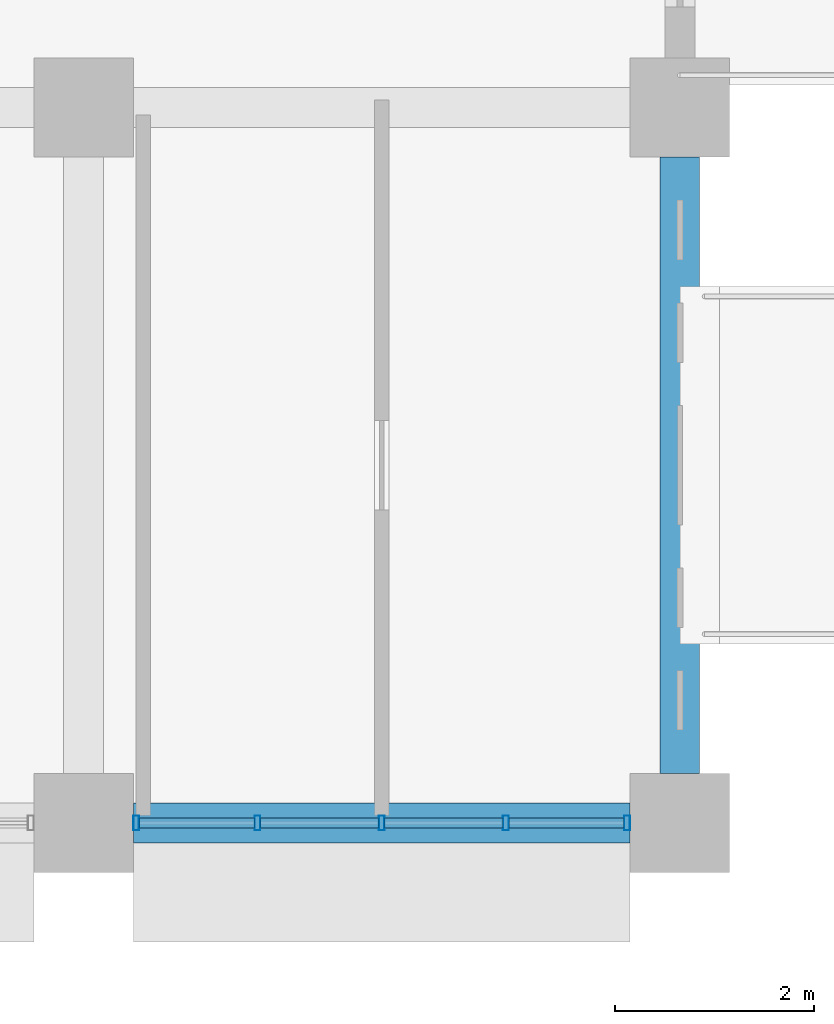
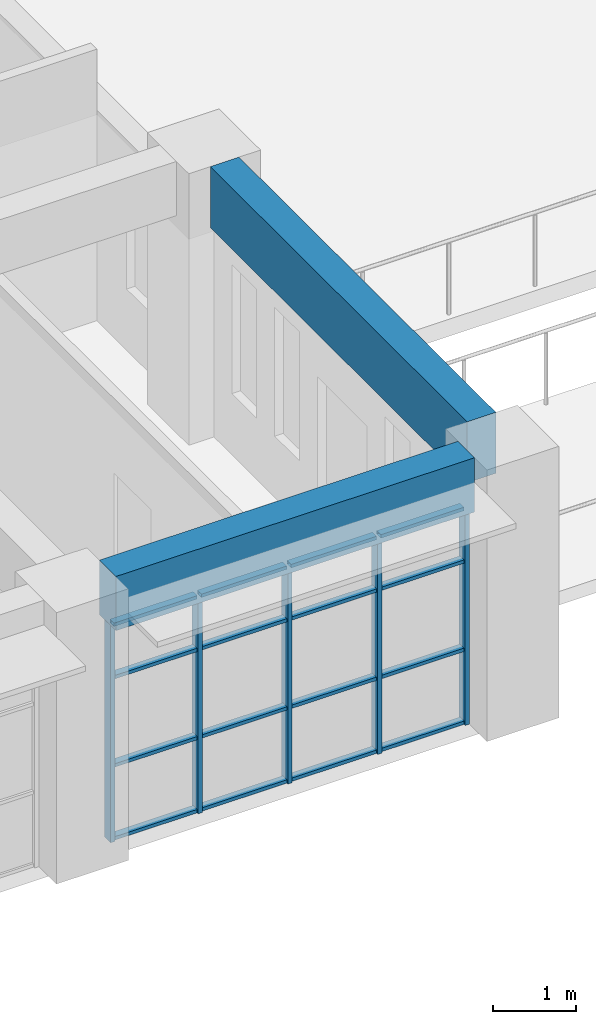
# One storey, part 50 of 101: 21 members, 2 beams, 1 element without a shape of its own.
"""IFC4 building model written with IfcOpenShell, lengths in metres."""

import ifcopenshell
import ifcopenshell.guid

model = None  # the IFC model being written
_history = None  # IfcOwnerHistory: only IFC2X3 demands one
_inside = {}  # id of a spatial element -> (the spatial element, [elements in it])
_under = {}  # id of a project, library or spatial element -> (it, [spatial elements below it])
_declared = {}  # id of a project -> (the project, [libraries it declares])
_typed = {}  # id of a type object -> (the type object, [elements of that type])
_made_of = {}  # id of a material, layer set ... -> (it, [elements and type objects made of it])


def new_model(schema):
    """Start an empty IFC model of exactly this schema.

    Asked for "IFC4X3", IfcOpenShell would pick the latest addendum, in which some entities
    have other attributes; the version numbers below select the first issue.
    IFC2X3 requires an IfcOwnerHistory on every rooted entity: one is made here for all.
    """
    global model, _history
    if schema == "IFC4X3":
        model = ifcopenshell.file(schema_version=(4, 3, 0, 0))
    else:
        model = ifcopenshell.file(schema=schema)
    _inside.clear()
    _under.clear()
    _declared.clear()
    _typed.clear()
    _made_of.clear()
    _history = None
    if model.schema == "IFC2X3":
        org = make("IfcOrganization", Name="unknown")
        user = make(
            "IfcPersonAndOrganization",
            ThePerson=make("IfcPerson", FamilyName="unknown"),
            TheOrganization=org,
        )
        app = make(
            "IfcApplication",
            ApplicationDeveloper=org,
            Version="unknown",
            ApplicationFullName="unknown",
            ApplicationIdentifier="unknown",
        )
        _history = make(
            "IfcOwnerHistory",
            OwningUser=user,
            OwningApplication=app,
            ChangeAction="ADDED",
            CreationDate=0,
        )
    return model


def make(cls, **values):
    """One entity of the class cls with the attributes given. An attribute that is None is left unset."""
    return model.create_entity(
        cls, **{name: value for name, value in values.items() if value is not None}
    )


def rooted(cls, **values):
    """An entity with a GlobalId (a new one), such as an element, a storey or a relation."""
    return make(cls, GlobalId=ifcopenshell.guid.new(), OwnerHistory=_history, **values)


def si_unit(unit_type, name, prefix=None):
    """IfcSIUnit, for example si_unit("LENGTHUNIT", "METRE", prefix="MILLI")."""
    return make("IfcSIUnit", UnitType=unit_type, Prefix=prefix, Name=name)


def assignment(units):
    """IfcUnitAssignment: the units of a project."""
    return None if units is None else make("IfcUnitAssignment", Units=units)


def point(xyz):
    """IfcCartesianPoint."""
    return None if xyz is None else make("IfcCartesianPoint", Coordinates=xyz)


def direction(xyz):
    """IfcDirection."""
    return None if xyz is None else make("IfcDirection", DirectionRatios=xyz)


def frame(location, z_axis=None, x_axis=None):
    """IfcAxis2Placement3D, a coordinate frame: its origin and axes. An axis left out is left unset."""
    return make(
        "IfcAxis2Placement3D",
        Location=point(location),
        Axis=direction(z_axis),
        RefDirection=direction(x_axis),
    )


def frame_2d(location, x_axis=None):
    """IfcAxis2Placement2D, a coordinate frame in the plane: its origin and x axis."""
    return make(
        "IfcAxis2Placement2D", Location=point(location), RefDirection=direction(x_axis)
    )


def origin():
    """The frame at (0, 0, 0) with its axes left unset."""
    return frame((0.0, 0.0, 0.0))


def origin_2d():
    """The frame at (0, 0) in the plane with its x axis left unset."""
    return frame_2d((0.0, 0.0))


def place(relative_to, where):
    """IfcLocalPlacement: puts the frame where relative to a parent placement (None: the world)."""
    return make(
        "IfcLocalPlacement", PlacementRelTo=relative_to, RelativePlacement=where
    )


def context(
    kind, dimensions, precision=None, world=None, true_north=None, identifier=None
):
    """IfcGeometricRepresentationContext, for example the 3D "Model" context."""
    return make(
        "IfcGeometricRepresentationContext",
        ContextIdentifier=identifier,
        ContextType=kind,
        CoordinateSpaceDimension=dimensions,
        Precision=precision,
        WorldCoordinateSystem=world,
        TrueNorth=true_north,
    )


def subcontext(parent, identifier, kind, view, scale=None):
    """IfcGeometricRepresentationSubContext, for example "Body" below "Model"."""
    return make(
        "IfcGeometricRepresentationSubContext",
        ContextIdentifier=identifier,
        ContextType=kind,
        ParentContext=parent,
        TargetScale=scale,
        TargetView=view,
    )


def project(units=None, contexts=None):
    """IfcProject with its units and contexts."""
    return rooted(
        "IfcProject",
        Name="project",
        RepresentationContexts=contexts,
        UnitsInContext=assignment(units),
    )


def spatial(cls, under=None, at=None, **own):
    """A site, building, storey or space (cls), placed at a placement, below another one or the project."""
    s = rooted(cls, ObjectPlacement=at, **own)
    if under is not None:
        _under.setdefault(under.id(), (under, []))[1].append(s)
    return s


def profile(cls, at=None, kind="AREA", **sizes):
    """A parametric profile (cls). Its sizes go by their IFC names, for example OverallWidth=200.0."""
    return make(cls, ProfileType=kind, Position=at, **sizes)


def rectangle(**sizes):
    """IfcRectangleProfileDef."""
    return profile("IfcRectangleProfileDef", **sizes)


def hollow_rectangle(**sizes):
    """IfcRectangleHollowProfileDef."""
    return profile("IfcRectangleHollowProfileDef", **sizes)


def extrude(swept, where, along, depth):
    """IfcExtrudedAreaSolid: the profile swept, set in the frame where, extruded along a direction by depth."""
    return make(
        "IfcExtrudedAreaSolid",
        SweptArea=swept,
        Position=where,
        ExtrudedDirection=direction(along),
        Depth=depth,
    )


def shape(context_of_items, identifier, shape_type, items):
    """IfcShapeRepresentation: the items that make up one representation, for example the "Body"."""
    return make(
        "IfcShapeRepresentation",
        ContextOfItems=context_of_items,
        RepresentationIdentifier=identifier,
        RepresentationType=shape_type,
        Items=items,
    )


def material(Name=None, Category=None):
    """IfcMaterial."""
    return make("IfcMaterial", Name=Name, Category=Category)


def material_profile(
    of_material, cross_section, Name=None, Category=None, Priority=None
):
    """IfcMaterialProfile: a cross section and its material."""
    return make(
        "IfcMaterialProfile",
        Name=Name,
        Material=of_material,
        Profile=cross_section,
        Priority=Priority,
        Category=Category,
    )


def profile_set(profiles, Name=None, composite=None):
    """IfcMaterialProfileSet."""
    return make(
        "IfcMaterialProfileSet",
        Name=Name,
        MaterialProfiles=profiles,
        CompositeProfile=composite,
    )


def made_of(thing, what):
    """Note that an element or type object is made of a material, layer set ...; save() writes the relation."""
    if what is not None:
        _made_of.setdefault(what.id(), (what, []))[1].append(thing)
    return thing


def type_object(cls, material=None, **own):
    """A type object (cls), such as IfcWallType, which elements share."""
    return made_of(rooted(cls, **own), material)


def element(
    cls,
    number,
    at=None,
    inside=None,
    cuts=None,
    type_object=None,
    material=None,
    context=None,
    identifier="Body",
    shape_type=None,
    held_by="IfcProductDefinitionShape",
    body=None,
    shapes=None,
    **own,
):
    """One element of the class cls, such as IfcWall. Its Tag is "e" and its number.

    at: its placement. inside: the storey or other place that contains it. cuts: it is an
    opening in that element (IfcRelVoidsElement). A single representation is given by context,
    identifier, shape_type and body (its items); several are given by shapes. held_by: the class
    of the entity that holds the representations. save() writes the other relations.
    """
    e = rooted(cls, Tag="e%d" % number, ObjectPlacement=at, **own)
    if body is not None:
        shapes = [shape(context, identifier, shape_type, body)]
    if shapes is not None:
        e.Representation = make(held_by, Representations=shapes)
    if inside is not None:
        _inside.setdefault(inside.id(), (inside, []))[1].append(e)
    if cuts is not None:
        rooted(
            "IfcRelVoidsElement", RelatingBuildingElement=cuts, RelatedOpeningElement=e
        )
    if type_object is not None:
        _typed.setdefault(type_object.id(), (type_object, []))[1].append(e)
    return made_of(e, material)


def aggregate(whole, parts):
    """IfcRelAggregates: a whole, such as a stair, and the parts it consists of."""
    return rooted("IfcRelAggregates", RelatingObject=whole, RelatedObjects=parts)


def save(model, path):
    """Write the relations noted so far, then the file.

    IfcRelAggregates (storeys below a building ...), IfcRelContainedInSpatialStructure (elements
    in a storey), IfcRelDefinesByType, IfcRelAssociatesMaterial and IfcRelDeclares: one each for
    every whole, place, type object, material and project.
    """
    for whole, parts in _under.values():
        aggregate(whole, parts)
    for where, things in _inside.values():
        rooted(
            "IfcRelContainedInSpatialStructure",
            RelatedElements=things,
            RelatingStructure=where,
        )
    for kind, things in _typed.values():
        rooted("IfcRelDefinesByType", RelatedObjects=things, RelatingType=kind)
    for what, things in _made_of.values():
        rooted("IfcRelAssociatesMaterial", RelatedObjects=things, RelatingMaterial=what)
    for by, libraries in _declared.values():
        rooted("IfcRelDeclares", RelatingContext=by, RelatedDefinitions=libraries)
    model.write(path)


model = new_model("IFC4")

# Units and contexts
model_context = context("Model", 3, precision=1e-05, world=origin(), true_north=direction((0.0, 1.0)))
body_context = subcontext(model_context, "Body", "Model", "MODEL_VIEW")
ifc_project = project(units=[si_unit("LENGTHUNIT", "METRE"), si_unit("AREAUNIT", "SQUARE_METRE"), si_unit("VOLUMEUNIT", "CUBIC_METRE"), si_unit("PLANEANGLEUNIT", "RADIAN"), si_unit("MASSUNIT", "GRAM", prefix="KILO")], contexts=[model_context])

# Site, building, storey
site_placement = place(None, origin())
site = spatial("IfcSite", under=ifc_project, at=site_placement, CompositionType="ELEMENT")
building_placement = place(site_placement, origin())
building = spatial("IfcBuilding", under=site, at=building_placement, Name="Laocheng Heights Fire and Rescue Headquarters", CompositionType="ELEMENT")
storey_placement = place(building_placement, frame((0.0, 0.0, 8.39990234375)))
storey = spatial("IfcBuildingStorey", under=building, at=storey_placement, Name="L02", CompositionType="ELEMENT", Elevation=8.39990234375)

# Curtain wall, members
ifc_material_1 = material(Name="Dark anodised aluminium unitised curtain wall, low-e double glazing", Category="aluminium")
curtain_wall_type = type_object("IfcCurtainWallType", Name="CW 5000 x 3200 HQ SOUTH RIBBON", PredefinedType="NOTDEFINED", material=ifc_material_1)
curtain_wall_placement = place(storey_placement, origin())
curtain_wall = element("IfcCurtainWall", 1, at=curtain_wall_placement, inside=storey, type_object=curtain_wall_type, Name="X10-X HQ SOUTH L02", PredefinedType="NOTDEFINED")
ifc_material_2 = material(Name="Dark anodised aluminium 6063-T5 extrusion", Category="aluminium")
ifc_material_profile_1 = material_profile(ifc_material_2, hollow_rectangle(XDim=0.14990234375, YDim=0.06005859375, WallThickness=0.0029296875, at=origin_2d()), Name="AL MULLION 150x60x3 HQ SOUTH RIBBON")
ifc_profile_set_1 = profile_set([ifc_material_profile_1], Name="Dark anodised aluminium 6063-T5 extrusion")
member_type_1 = type_object("IfcMemberType", Name="AL MULLION 150x60x3 HQ SOUTH RIBBON", PredefinedType="MULLION", material=ifc_profile_set_1)
member_1_placement = place(storey_placement, frame((78.530029296875, 50.39990234375, 0.0), z_axis=(0.0, 0.0, 1.0), x_axis=(0.0, 1.0, 0.0)))
member_1 = element("IfcMember", 2, at=member_1_placement, type_object=member_type_1, Name="X10-X mullion 1", PredefinedType="MULLION", context=body_context, shape_type="SweptSolid", body=[
    extrude(hollow_rectangle(XDim=0.14990234375, YDim=0.06005859375, WallThickness=0.0029296875, at=origin_2d()), origin(), (0.0, 0.0, 1.0), 3.2001953125),
])
member_2_placement = place(storey_placement, frame((79.75, 50.39990234375, 0.0), z_axis=(0.0, 0.0, 1.0), x_axis=(0.0, 1.0, 0.0)))
member_2 = element("IfcMember", 3, at=member_2_placement, type_object=member_type_1, Name="X10-X mullion 2", PredefinedType="MULLION", context=body_context, shape_type="SweptSolid", body=[
    extrude(hollow_rectangle(XDim=0.14990234375, YDim=0.06005859375, WallThickness=0.0029296875, at=origin_2d()), origin(), (0.0, 0.0, 1.0), 3.2001953125),
])
member_3_placement = place(storey_placement, frame((81.0, 50.39990234375, 0.0), z_axis=(0.0, 0.0, 1.0), x_axis=(0.0, 1.0, 0.0)))
member_3 = element("IfcMember", 4, at=member_3_placement, type_object=member_type_1, Name="X10-X mullion 3", PredefinedType="MULLION", context=body_context, shape_type="SweptSolid", body=[
    extrude(hollow_rectangle(XDim=0.14990234375, YDim=0.06005859375, WallThickness=0.0029296875, at=origin_2d()), origin(), (0.0, 0.0, 1.0), 3.2001953125),
])
member_4_placement = place(storey_placement, frame((82.25, 50.39990234375, 0.0), z_axis=(0.0, 0.0, 1.0), x_axis=(0.0, 1.0, 0.0)))
member_4 = element("IfcMember", 5, at=member_4_placement, type_object=member_type_1, Name="X10-X mullion 4", PredefinedType="MULLION", context=body_context, shape_type="SweptSolid", body=[
    extrude(hollow_rectangle(XDim=0.14990234375, YDim=0.06005859375, WallThickness=0.0029296875, at=origin_2d()), origin(), (0.0, 0.0, 1.0), 3.2001953125),
])
member_5_placement = place(storey_placement, frame((83.469970703125, 50.39990234375, 0.0), z_axis=(0.0, 0.0, 1.0), x_axis=(0.0, 1.0, 0.0)))
member_5 = element("IfcMember", 6, at=member_5_placement, type_object=member_type_1, Name="X10-X mullion 5", PredefinedType="MULLION", context=body_context, shape_type="SweptSolid", body=[
    extrude(hollow_rectangle(XDim=0.14990234375, YDim=0.06005859375, WallThickness=0.0029296875, at=origin_2d()), origin(), (0.0, 0.0, 1.0), 3.2001953125),
])
ifc_material_3 = material(Name="Dark anodised aluminium 6063-T5 extrusion", Category="aluminium")
ifc_material_profile_2 = material_profile(ifc_material_3, hollow_rectangle(XDim=0.10009765625, YDim=0.050048828125, WallThickness=0.0029296875, at=origin_2d()), Name="AL TRANSOM 100x50x3 HQ SOUTH RIBBON")
ifc_profile_set_2 = profile_set([ifc_material_profile_2], Name="Dark anodised aluminium 6063-T5 extrusion")
member_type_2 = type_object("IfcMemberType", Name="AL TRANSOM 100x50x3 HQ SOUTH RIBBON", PredefinedType="USERDEFINED", material=ifc_profile_set_2)
member_6_placement = place(storey_placement, frame((78.56005859375, 50.39990234375, 0.025146484375), z_axis=(1.0, 0.0, 0.0), x_axis=(0.0, 1.0, 0.0)))
member_6 = element("IfcMember", 7, at=member_6_placement, type_object=member_type_2, Name="X10-X transom 1.1", ObjectType="TRANSOM", PredefinedType="USERDEFINED", context=body_context, shape_type="SweptSolid", body=[
    extrude(hollow_rectangle(XDim=0.10009765625, YDim=0.050048828125, WallThickness=0.0029296875, at=origin_2d()), origin(), (0.0, 0.0, 1.0), 1.159912109375),
])
member_7_placement = place(storey_placement, frame((78.56005859375, 50.39990234375, 1.10009765625), z_axis=(1.0, 0.0, 0.0), x_axis=(0.0, 1.0, 0.0)))
member_7 = element("IfcMember", 8, at=member_7_placement, type_object=member_type_2, Name="X10-X transom 1.2", ObjectType="TRANSOM", PredefinedType="USERDEFINED", context=body_context, shape_type="SweptSolid", body=[
    extrude(hollow_rectangle(XDim=0.10009765625, YDim=0.050048828125, WallThickness=0.0029296875, at=origin_2d()), origin(), (0.0, 0.0, 1.0), 1.159912109375),
])
member_8_placement = place(storey_placement, frame((78.56005859375, 50.39990234375, 2.400146484375), z_axis=(1.0, 0.0, 0.0), x_axis=(0.0, 1.0, 0.0)))
member_8 = element("IfcMember", 9, at=member_8_placement, type_object=member_type_2, Name="X10-X transom 1.3", ObjectType="TRANSOM", PredefinedType="USERDEFINED", context=body_context, shape_type="SweptSolid", body=[
    extrude(hollow_rectangle(XDim=0.10009765625, YDim=0.050048828125, WallThickness=0.0029296875, at=origin_2d()), origin(), (0.0, 0.0, 1.0), 1.159912109375),
])
member_9_placement = place(storey_placement, frame((78.56005859375, 50.39990234375, 3.175048828125), z_axis=(1.0, 0.0, 0.0), x_axis=(0.0, 1.0, 0.0)))
member_9 = element("IfcMember", 10, at=member_9_placement, type_object=member_type_2, Name="X10-X transom 1.4", ObjectType="TRANSOM", PredefinedType="USERDEFINED", context=body_context, shape_type="SweptSolid", body=[
    extrude(hollow_rectangle(XDim=0.10009765625, YDim=0.050048828125, WallThickness=0.0029296875, at=origin_2d()), origin(), (0.0, 0.0, 1.0), 1.159912109375),
])
member_10_placement = place(storey_placement, frame((79.780029296875, 50.39990234375, 0.025146484375), z_axis=(1.0, 0.0, 0.0), x_axis=(0.0, 1.0, 0.0)))
member_10 = element("IfcMember", 11, at=member_10_placement, type_object=member_type_2, Name="X10-X transom 2.1", ObjectType="TRANSOM", PredefinedType="USERDEFINED", context=body_context, shape_type="SweptSolid", body=[
    extrude(hollow_rectangle(XDim=0.10009765625, YDim=0.050048828125, WallThickness=0.0029296875, at=origin_2d()), origin(), (0.0, 0.0, 1.0), 1.18994140625),
])
member_11_placement = place(storey_placement, frame((79.780029296875, 50.39990234375, 1.10009765625), z_axis=(1.0, 0.0, 0.0), x_axis=(0.0, 1.0, 0.0)))
member_11 = element("IfcMember", 12, at=member_11_placement, type_object=member_type_2, Name="X10-X transom 2.2", ObjectType="TRANSOM", PredefinedType="USERDEFINED", context=body_context, shape_type="SweptSolid", body=[
    extrude(hollow_rectangle(XDim=0.10009765625, YDim=0.050048828125, WallThickness=0.0029296875, at=origin_2d()), origin(), (0.0, 0.0, 1.0), 1.18994140625),
])
member_12_placement = place(storey_placement, frame((79.780029296875, 50.39990234375, 2.400146484375), z_axis=(1.0, 0.0, 0.0), x_axis=(0.0, 1.0, 0.0)))
member_12 = element("IfcMember", 13, at=member_12_placement, type_object=member_type_2, Name="X10-X transom 2.3", ObjectType="TRANSOM", PredefinedType="USERDEFINED", context=body_context, shape_type="SweptSolid", body=[
    extrude(hollow_rectangle(XDim=0.10009765625, YDim=0.050048828125, WallThickness=0.0029296875, at=origin_2d()), origin(), (0.0, 0.0, 1.0), 1.18994140625),
])
member_13_placement = place(storey_placement, frame((79.780029296875, 50.39990234375, 3.175048828125), z_axis=(1.0, 0.0, 0.0), x_axis=(0.0, 1.0, 0.0)))
member_13 = element("IfcMember", 14, at=member_13_placement, type_object=member_type_2, Name="X10-X transom 2.4", ObjectType="TRANSOM", PredefinedType="USERDEFINED", context=body_context, shape_type="SweptSolid", body=[
    extrude(hollow_rectangle(XDim=0.10009765625, YDim=0.050048828125, WallThickness=0.0029296875, at=origin_2d()), origin(), (0.0, 0.0, 1.0), 1.18994140625),
])
member_14_placement = place(storey_placement, frame((81.030029296875, 50.39990234375, 0.025146484375), z_axis=(1.0, 0.0, 0.0), x_axis=(0.0, 1.0, 0.0)))
member_14 = element("IfcMember", 15, at=member_14_placement, type_object=member_type_2, Name="X10-X transom 3.1", ObjectType="TRANSOM", PredefinedType="USERDEFINED", context=body_context, shape_type="SweptSolid", body=[
    extrude(hollow_rectangle(XDim=0.10009765625, YDim=0.050048828125, WallThickness=0.0029296875, at=origin_2d()), origin(), (0.0, 0.0, 1.0), 1.18994140625),
])
member_15_placement = place(storey_placement, frame((81.030029296875, 50.39990234375, 1.10009765625), z_axis=(1.0, 0.0, 0.0), x_axis=(0.0, 1.0, 0.0)))
member_15 = element("IfcMember", 16, at=member_15_placement, type_object=member_type_2, Name="X10-X transom 3.2", ObjectType="TRANSOM", PredefinedType="USERDEFINED", context=body_context, shape_type="SweptSolid", body=[
    extrude(hollow_rectangle(XDim=0.10009765625, YDim=0.050048828125, WallThickness=0.0029296875, at=origin_2d()), origin(), (0.0, 0.0, 1.0), 1.18994140625),
])
member_16_placement = place(storey_placement, frame((81.030029296875, 50.39990234375, 2.400146484375), z_axis=(1.0, 0.0, 0.0), x_axis=(0.0, 1.0, 0.0)))
member_16 = element("IfcMember", 17, at=member_16_placement, type_object=member_type_2, Name="X10-X transom 3.3", ObjectType="TRANSOM", PredefinedType="USERDEFINED", context=body_context, shape_type="SweptSolid", body=[
    extrude(hollow_rectangle(XDim=0.10009765625, YDim=0.050048828125, WallThickness=0.0029296875, at=origin_2d()), origin(), (0.0, 0.0, 1.0), 1.18994140625),
])
member_17_placement = place(storey_placement, frame((81.030029296875, 50.39990234375, 3.175048828125), z_axis=(1.0, 0.0, 0.0), x_axis=(0.0, 1.0, 0.0)))
member_17 = element("IfcMember", 18, at=member_17_placement, type_object=member_type_2, Name="X10-X transom 3.4", ObjectType="TRANSOM", PredefinedType="USERDEFINED", context=body_context, shape_type="SweptSolid", body=[
    extrude(hollow_rectangle(XDim=0.10009765625, YDim=0.050048828125, WallThickness=0.0029296875, at=origin_2d()), origin(), (0.0, 0.0, 1.0), 1.18994140625),
])
member_18_placement = place(storey_placement, frame((82.280029296875, 50.39990234375, 0.025146484375), z_axis=(1.0, 0.0, 0.0), x_axis=(0.0, 1.0, 0.0)))
member_18 = element("IfcMember", 19, at=member_18_placement, type_object=member_type_2, Name="X10-X transom 4.1", ObjectType="TRANSOM", PredefinedType="USERDEFINED", context=body_context, shape_type="SweptSolid", body=[
    extrude(hollow_rectangle(XDim=0.10009765625, YDim=0.050048828125, WallThickness=0.0029296875, at=origin_2d()), origin(), (0.0, 0.0, 1.0), 1.159912109375),
])
member_19_placement = place(storey_placement, frame((82.280029296875, 50.39990234375, 1.10009765625), z_axis=(1.0, 0.0, 0.0), x_axis=(0.0, 1.0, 0.0)))
member_19 = element("IfcMember", 20, at=member_19_placement, type_object=member_type_2, Name="X10-X transom 4.2", ObjectType="TRANSOM", PredefinedType="USERDEFINED", context=body_context, shape_type="SweptSolid", body=[
    extrude(hollow_rectangle(XDim=0.10009765625, YDim=0.050048828125, WallThickness=0.0029296875, at=origin_2d()), origin(), (0.0, 0.0, 1.0), 1.159912109375),
])
member_20_placement = place(storey_placement, frame((82.280029296875, 50.39990234375, 2.400146484375), z_axis=(1.0, 0.0, 0.0), x_axis=(0.0, 1.0, 0.0)))
member_20 = element("IfcMember", 21, at=member_20_placement, type_object=member_type_2, Name="X10-X transom 4.3", ObjectType="TRANSOM", PredefinedType="USERDEFINED", context=body_context, shape_type="SweptSolid", body=[
    extrude(hollow_rectangle(XDim=0.10009765625, YDim=0.050048828125, WallThickness=0.0029296875, at=origin_2d()), origin(), (0.0, 0.0, 1.0), 1.159912109375),
])
member_21_placement = place(storey_placement, frame((82.280029296875, 50.39990234375, 3.175048828125), z_axis=(1.0, 0.0, 0.0), x_axis=(0.0, 1.0, 0.0)))
member_21 = element("IfcMember", 22, at=member_21_placement, type_object=member_type_2, Name="X10-X transom 4.4", ObjectType="TRANSOM", PredefinedType="USERDEFINED", context=body_context, shape_type="SweptSolid", body=[
    extrude(hollow_rectangle(XDim=0.10009765625, YDim=0.050048828125, WallThickness=0.0029296875, at=origin_2d()), origin(), (0.0, 0.0, 1.0), 1.159912109375),
])
aggregate(curtain_wall, [member_1, member_2, member_3, member_4, member_5, member_6, member_7, member_8, member_9, member_10, member_11, member_12, member_13, member_14, member_15, member_16, member_17, member_18, member_19, member_20, member_21])

# Beams
ifc_material_4 = material(Name="Concrete C40", Category="concrete")
ifc_material_profile_3 = material_profile(ifc_material_4, rectangle(XDim=0.39990234375, YDim=0.800048828125, at=origin_2d()), Name="RC BEAM 400x800 HQ")
ifc_profile_set_3 = profile_set([ifc_material_profile_3], Name="Concrete C40")
beam_type_1 = type_object("IfcBeamType", Name="RC BEAM 400x800 HQ", PredefinedType="BEAM", material=ifc_profile_set_3)
beam_1_placement = place(storey_placement, frame((78.5, 50.39990234375, 3.60009765625), z_axis=(1.0, 0.0, 0.0), x_axis=(0.0, 1.0, 0.0)))
element("IfcBeam", 23, at=beam_1_placement, inside=storey, type_object=beam_type_1, Name="HQ beam L02", PredefinedType="BEAM", context=body_context, shape_type="SweptSolid", body=[
    extrude(rectangle(XDim=0.39990234375, YDim=0.800048828125, at=origin_2d()), origin(), (0.0, 0.0, 1.0), 5.0),
])
ifc_material_5 = material(Name="Concrete C40", Category="concrete")
ifc_material_profile_4 = material_profile(ifc_material_5, rectangle(XDim=0.39990234375, YDim=0.89990234375, at=origin_2d()), Name="RC BEAM 400x900 HQ")
ifc_profile_set_4 = profile_set([ifc_material_profile_4], Name="Concrete C40")
beam_type_2 = type_object("IfcBeamType", Name="RC BEAM 400x900 HQ", PredefinedType="BEAM", material=ifc_profile_set_4)
beam_2_placement = place(storey_placement, frame((84.0, 50.89990234375, 3.550048828125), z_axis=(0.0, 1.0, 0.0), x_axis=(-1.0, 0.0, 0.0)))
element("IfcBeam", 24, at=beam_2_placement, inside=storey, type_object=beam_type_2, Name="HQ beam L02", PredefinedType="BEAM", context=body_context, shape_type="SweptSolid", body=[
    extrude(rectangle(XDim=0.39990234375, YDim=0.89990234375, at=origin_2d()), origin(), (0.0, 0.0, 1.0), 6.2001953125),
])

save(model, "model.ifc")
